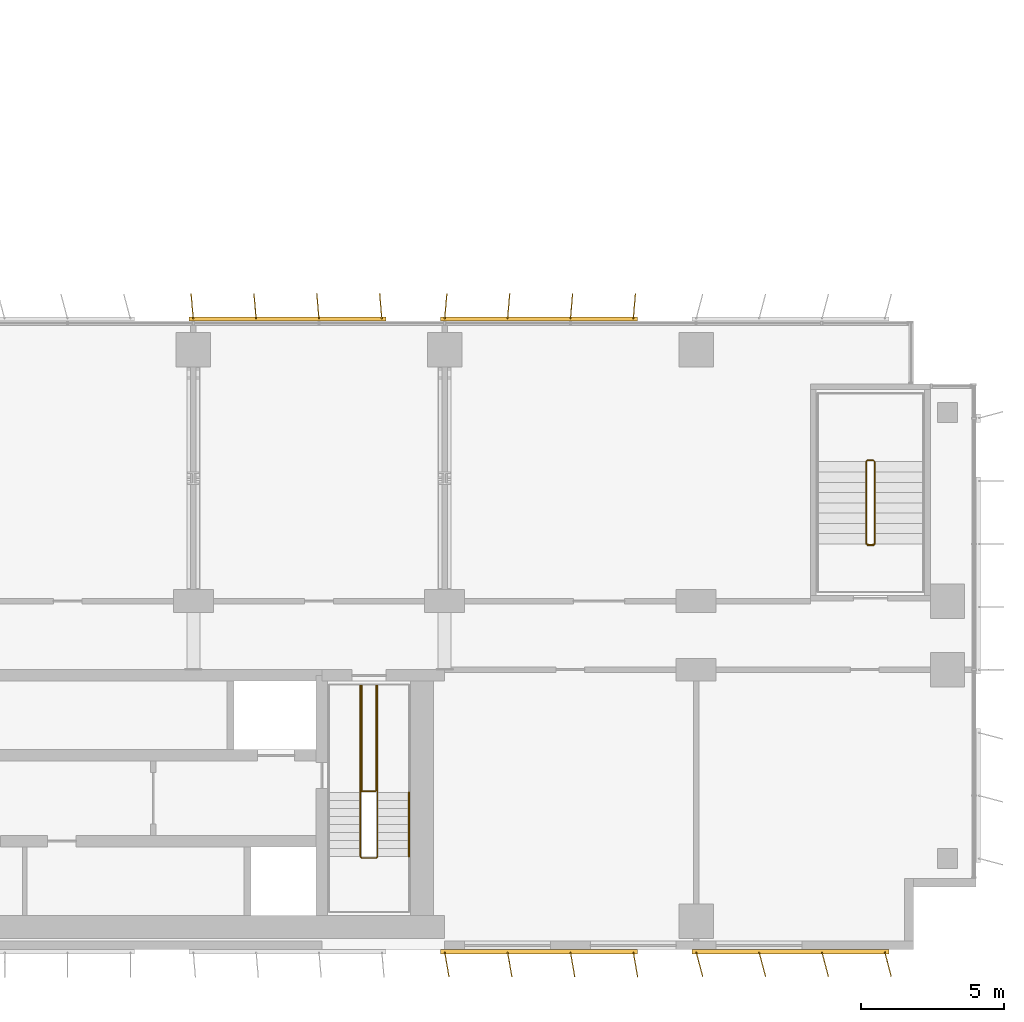
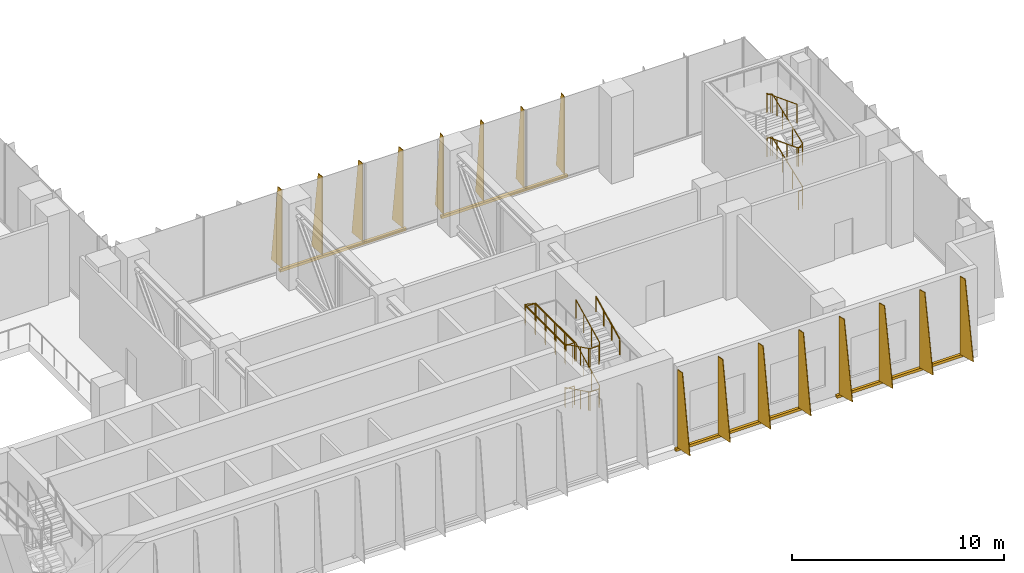
# One storey, part 18 of 21: 4 shading devices, 3 railings.
"""IFC4 building model written with IfcOpenShell, lengths in metres."""

from ifc_helpers import new_model, si_unit, direction, frame, origin, origin_2d, place, context, subcontext, project, spatial, polyline, rectangle, circle, outline, extrude, source, transform, mapped, material, layer, layer_set, type_object, element, save


model = new_model("IFC4")

# Units and contexts
model_context = context("Model", 3, precision=1e-05, world=origin(), true_north=direction((0.0, 1.0)))
body_context = subcontext(model_context, "Body", "Model", "MODEL_VIEW")
ifc_project = project(units=[si_unit("LENGTHUNIT", "METRE"), si_unit("AREAUNIT", "SQUARE_METRE"), si_unit("VOLUMEUNIT", "CUBIC_METRE"), si_unit("PLANEANGLEUNIT", "RADIAN"), si_unit("MASSUNIT", "GRAM", prefix="KILO")], contexts=[model_context])

# Site, building, storey
site_placement = place(None, origin())
site = spatial("IfcSite", under=ifc_project, at=site_placement, CompositionType="ELEMENT")
building_placement = place(site_placement, origin())
building = spatial("IfcBuilding", under=site, at=building_placement, Name="Kemantara Hotel Tower", CompositionType="ELEMENT")
storey_placement = place(building_placement, frame((0.0, 0.0, 133.300048828125)))
storey = spatial("IfcBuildingStorey", under=building, at=storey_placement, Name="L32", CompositionType="ELEMENT", Elevation=133.300048828125)

# Railings
ifc_material_1 = material(Name="Stainless steel balustrade", Category="steel")
railing_type_1 = type_object("IfcRailingType", Name="Stair guard 1100 mm", PredefinedType="GUARDRAIL", material=ifc_material_1)
railing_1_placement = place(storey_placement, frame((42.64990234375, 5.5, 5.0)))
element("IfcRailing", 1, at=railing_1_placement, inside=storey, type_object=railing_type_1, Name="L32 ST2 stair guard 1", PredefinedType="GUARDRAIL", context=body_context, shape_type="SweptSolid", body=[
    extrude(circle(Radius=0.02392578125, at=origin_2d()), frame((0.0, 0.0, 1.076171875), z_axis=(0.0, -0.895848192791, -0.444360231651), x_axis=(1.0, 0.0, 0.0)), (0.0, 0.0, 1.0), 2.50048828125),
    extrude(circle(Radius=0.02392578125, at=origin_2d()), frame((0.0, -2.239990234375, -0.03515625), z_axis=(-0.319608697381, -0.321175406682, -0.891457592206), x_axis=(0.708833529934, -0.705375805398, 0.0)), (0.0, 0.0, 1.0), 0.15576171875),
    extrude(circle(Radius=0.02392578125, at=origin_2d()), frame((-0.0498046875, -2.2900390625, -0.173828125), z_axis=(-1.0, 0.0, 0.0), x_axis=(0.0, -1.0, 0.0)), (0.0, 0.0, 1.0), 0.5),
    extrude(circle(Radius=0.02392578125, at=origin_2d()), frame((-0.5498046875, -2.2900390625, -0.173828125), z_axis=(-0.707106781187, 0.707106781187, 0.0), x_axis=(-0.707106781187, -0.707106781187, 0.0)), (0.0, 0.0, 1.0), 0.07080078125),
    extrude(circle(Radius=0.02392578125, at=origin_2d()), frame((-0.599853515625, -2.239990234375, -0.173828125), z_axis=(0.0, 0.895848192791, -0.444360231651), x_axis=(-1.0, 0.0, 0.0)), (0.0, 0.0, 1.0), 2.50048828125),
    extrude(circle(Radius=0.02392578125, at=origin_2d()), frame((-0.599853515625, 0.0, -1.28515625), z_axis=(0.0, 1.0, 0.0), x_axis=(-1.0, 0.0, 0.0)), (0.0, 0.0, 1.0), 3.780029296875),
    extrude(circle(Radius=0.02392578125, at=origin_2d()), frame((-0.599853515625, 3.780029296875, -1.28515625), z_axis=(0.969557479204, 0.0, -0.244863828525), x_axis=(0.0, 1.0, 0.0)), (0.0, 0.0, 1.0), 0.5673828125),
    extrude(circle(Radius=0.02392578125, at=origin_2d()), frame((-0.0498046875, 3.780029296875, -1.423828125), z_axis=(0.0, -1.0, 0.0), x_axis=(1.0, 0.0, 0.0)), (0.0, 0.0, 1.0), 3.72998046875),
    extrude(circle(Radius=0.02392578125, at=origin_2d()), frame((-0.0498046875, 0.050048828125, -1.423828125), z_axis=(-1.0, 0.0, 0.0), x_axis=(0.0, -1.0, 0.0)), (0.0, 0.0, 1.0), 0.5),
    extrude(circle(Radius=0.02392578125, at=origin_2d()), frame((-0.5498046875, 0.050048828125, -1.423828125), z_axis=(0.0, 1.0, 0.0), x_axis=(-1.0, 0.0, 0.0)), (0.0, 0.0, 1.0), 3.72998046875),
    extrude(circle(Radius=0.02392578125, at=origin_2d()), frame((-0.5498046875, 3.780029296875, -1.423828125), z_axis=(1.0, 0.0, 0.0), x_axis=(0.0, 1.0, 0.0)), (0.0, 0.0, 1.0), 0.5498046875),
    extrude(circle(Radius=0.02392578125, at=origin_2d()), frame((0.0, 3.780029296875, -1.423828125), z_axis=(0.0, -1.0, 0.0), x_axis=(1.0, 0.0, 0.0)), (0.0, 0.0, 1.0), 3.780029296875),
    extrude(circle(Radius=0.02392578125, at=origin_2d()), frame((0.0, 0.0, -1.423828125), z_axis=(0.0, -0.895848192791, -0.444360231651), x_axis=(1.0, 0.0, 0.0)), (0.0, 0.0, 1.0), 2.50048828125),
    extrude(circle(Radius=0.02392578125, at=origin_2d()), frame((0.0, -2.239990234375, -2.53515625), z_axis=(-0.319608697381, -0.321175406682, -0.891457592206), x_axis=(0.708833529934, -0.705375805398, 0.0)), (0.0, 0.0, 1.0), 0.15576171875),
    extrude(circle(Radius=0.02392578125, at=origin_2d()), frame((-0.0498046875, -2.2900390625, -2.673828125), z_axis=(-1.0, 0.0, 0.0), x_axis=(0.0, -1.0, 0.0)), (0.0, 0.0, 1.0), 0.5),
    extrude(circle(Radius=0.02392578125, at=origin_2d()), frame((-0.5498046875, -2.2900390625, -2.673828125), z_axis=(-0.707106781187, 0.707106781187, 0.0), x_axis=(-0.707106781187, -0.707106781187, 0.0)), (0.0, 0.0, 1.0), 0.07080078125),
    extrude(circle(Radius=0.02392578125, at=origin_2d()), frame((-0.599853515625, -2.239990234375, -2.673828125), z_axis=(0.0, 0.895848192791, -0.444360231651), x_axis=(-1.0, 0.0, 0.0)), (0.0, 0.0, 1.0), 2.50048828125),
    extrude(circle(Radius=0.02392578125, at=origin_2d()), frame((-0.599853515625, 0.0, -3.78515625), z_axis=(0.321014310373, 0.321014310373, -0.891010451718), x_axis=(-0.707106781187, 0.707106781187, 0.0)), (0.0, 0.0, 1.0), 0.156005859375),
    extrude(circle(Radius=0.02392578125, at=origin_2d()), frame((-0.5498046875, 0.050048828125, -3.923828125), z_axis=(1.0, 0.0, 0.0), x_axis=(0.0, 1.0, 0.0)), (0.0, 0.0, 1.0), 0.5),
    extrude(circle(Radius=0.02099609375, at=origin_2d()), origin(), (0.0, 0.0, 1.0), 1.052001953125),
    extrude(circle(Radius=0.02099609375, at=origin_2d()), frame((0.0, -0.74658203125, -0.370361328125)), (0.0, 0.0, 1.0), 1.052001953125),
    extrude(circle(Radius=0.02099609375, at=origin_2d()), frame((0.0, -1.493408203125, -0.74072265625)), (0.0, 0.0, 1.0), 1.052001953125),
    extrude(circle(Radius=0.02099609375, at=origin_2d()), frame((0.0, -2.239990234375, -1.111083984375)), (0.0, 0.0, 1.0), 1.052001953125),
    extrude(circle(Radius=0.02099609375, at=origin_2d()), frame((-0.0498046875, -2.2900390625, -1.25)), (0.0, 0.0, 1.0), 1.052001953125),
    extrude(circle(Radius=0.02099609375, at=origin_2d()), frame((-0.5498046875, -2.2900390625, -1.25)), (0.0, 0.0, 1.0), 1.052001953125),
    extrude(circle(Radius=0.02099609375, at=origin_2d()), frame((-0.599853515625, -2.239990234375, -1.25)), (0.0, 0.0, 1.0), 1.052001953125),
    extrude(circle(Radius=0.02099609375, at=origin_2d()), frame((-0.599853515625, -1.493408203125, -1.620361328125)), (0.0, 0.0, 1.0), 1.052001953125),
    extrude(circle(Radius=0.02099609375, at=origin_2d()), frame((-0.599853515625, -0.74658203125, -1.99072265625)), (0.0, 0.0, 1.0), 1.052001953125),
    extrude(circle(Radius=0.02099609375, at=origin_2d()), frame((-0.599853515625, 0.0, -2.361083984375)), (0.0, 0.0, 1.0), 1.052001953125),
    extrude(circle(Radius=0.02099609375, at=origin_2d()), frame((-0.599853515625, 0.945068359375, -2.361083984375)), (0.0, 0.0, 1.0), 1.052001953125),
    extrude(circle(Radius=0.02099609375, at=origin_2d()), frame((-0.599853515625, 1.89013671875, -2.361083984375)), (0.0, 0.0, 1.0), 1.052001953125),
    extrude(circle(Radius=0.02099609375, at=origin_2d()), frame((-0.599853515625, 2.8349609375, -2.361083984375)), (0.0, 0.0, 1.0), 1.052001953125),
    extrude(circle(Radius=0.02099609375, at=origin_2d()), frame((-0.599853515625, 3.780029296875, -2.361083984375)), (0.0, 0.0, 1.0), 1.052001953125),
    extrude(circle(Radius=0.02099609375, at=origin_2d()), frame((-0.0498046875, 3.780029296875, -2.5)), (0.0, 0.0, 1.0), 1.052001953125),
    extrude(circle(Radius=0.02099609375, at=origin_2d()), frame((-0.0498046875, 2.84765625, -2.5)), (0.0, 0.0, 1.0), 1.052001953125),
    extrude(circle(Radius=0.02099609375, at=origin_2d()), frame((-0.0498046875, 1.9150390625, -2.5)), (0.0, 0.0, 1.0), 1.052001953125),
    extrude(circle(Radius=0.02099609375, at=origin_2d()), frame((-0.0498046875, 0.982421875, -2.5)), (0.0, 0.0, 1.0), 1.052001953125),
    extrude(circle(Radius=0.02099609375, at=origin_2d()), frame((-0.0498046875, 0.050048828125, -2.5)), (0.0, 0.0, 1.0), 1.052001953125),
    extrude(circle(Radius=0.02099609375, at=origin_2d()), frame((-0.5498046875, 0.050048828125, -2.5)), (0.0, 0.0, 1.0), 1.052001953125),
    extrude(circle(Radius=0.02099609375, at=origin_2d()), frame((-0.5498046875, 0.982421875, -2.5)), (0.0, 0.0, 1.0), 1.052001953125),
    extrude(circle(Radius=0.02099609375, at=origin_2d()), frame((-0.5498046875, 1.9150390625, -2.5)), (0.0, 0.0, 1.0), 1.052001953125),
    extrude(circle(Radius=0.02099609375, at=origin_2d()), frame((-0.5498046875, 2.84765625, -2.5)), (0.0, 0.0, 1.0), 1.052001953125),
    extrude(circle(Radius=0.02099609375, at=origin_2d()), frame((-0.5498046875, 3.780029296875, -2.5)), (0.0, 0.0, 1.0), 1.052001953125),
    extrude(circle(Radius=0.02099609375, at=origin_2d()), frame((0.0, 3.780029296875, -2.5)), (0.0, 0.0, 1.0), 1.052001953125),
    extrude(circle(Radius=0.02099609375, at=origin_2d()), frame((0.0, 2.8349609375, -2.5)), (0.0, 0.0, 1.0), 1.052001953125),
    extrude(circle(Radius=0.02099609375, at=origin_2d()), frame((0.0, 1.89013671875, -2.5)), (0.0, 0.0, 1.0), 1.052001953125),
    extrude(circle(Radius=0.02099609375, at=origin_2d()), frame((0.0, 0.945068359375, -2.5)), (0.0, 0.0, 1.0), 1.052001953125),
    extrude(circle(Radius=0.02099609375, at=origin_2d()), frame((0.0, 0.0, -2.5)), (0.0, 0.0, 1.0), 1.052001953125),
    extrude(circle(Radius=0.02099609375, at=origin_2d()), frame((0.0, -0.74658203125, -2.870361328125)), (0.0, 0.0, 1.0), 1.052001953125),
    extrude(circle(Radius=0.02099609375, at=origin_2d()), frame((0.0, -1.493408203125, -3.24072265625)), (0.0, 0.0, 1.0), 1.052001953125),
    extrude(circle(Radius=0.02099609375, at=origin_2d()), frame((0.0, -2.239990234375, -3.611083984375)), (0.0, 0.0, 1.0), 1.052001953125),
    extrude(circle(Radius=0.02099609375, at=origin_2d()), frame((-0.0498046875, -2.2900390625, -3.75)), (0.0, 0.0, 1.0), 1.052001953125),
    extrude(circle(Radius=0.02099609375, at=origin_2d()), frame((-0.5498046875, -2.2900390625, -3.75)), (0.0, 0.0, 1.0), 1.052001953125),
    extrude(circle(Radius=0.02099609375, at=origin_2d()), frame((-0.599853515625, -2.239990234375, -3.75)), (0.0, 0.0, 1.0), 1.052001953125),
    extrude(circle(Radius=0.02099609375, at=origin_2d()), frame((-0.599853515625, -1.493408203125, -4.120361328125)), (0.0, 0.0, 1.0), 1.052001953125),
    extrude(circle(Radius=0.02099609375, at=origin_2d()), frame((-0.599853515625, -0.74658203125, -4.49072265625)), (0.0, 0.0, 1.0), 1.052001953125),
    extrude(circle(Radius=0.02099609375, at=origin_2d()), frame((-0.599853515625, 0.0, -4.861083984375)), (0.0, 0.0, 1.0), 1.052001953125),
    extrude(circle(Radius=0.02099609375, at=origin_2d()), frame((-0.5498046875, 0.050048828125, -5.0)), (0.0, 0.0, 1.0), 1.052001953125),
    extrude(circle(Radius=0.02099609375, at=origin_2d()), frame((-0.0498046875, 0.050048828125, -5.0)), (0.0, 0.0, 1.0), 1.052001953125),
])
railing_2_placement = place(storey_placement, frame((59.75, 14.199951171875, 5.0)))
element("IfcRailing", 2, at=railing_2_placement, inside=storey, type_object=railing_type_1, Name="L32 ST3 stair guard 1", PredefinedType="GUARDRAIL", context=body_context, shape_type="SweptSolid", body=[
    extrude(circle(Radius=0.02392578125, at=origin_2d()), frame((0.0, 0.0, 1.076171875), z_axis=(0.0, 0.932982310422, -0.359922225543), x_axis=(-1.0, 0.0, 0.0)), (0.0, 0.0, 1.0), 3.0869140625),
    extrude(circle(Radius=0.02392578125, at=origin_2d()), frame((0.0, 2.880126953125, -0.03515625), z_axis=(0.321175406682, 0.319608697381, -0.891457592206), x_axis=(-0.705375805398, 0.708833529934, 0.0)), (0.0, 0.0, 1.0), 0.15576171875),
    extrude(circle(Radius=0.02392578125, at=origin_2d()), frame((0.050048828125, 2.929931640625, -0.173828125), z_axis=(1.0, 0.0, 0.0), x_axis=(0.0, 1.0, 0.0)), (0.0, 0.0, 1.0), 0.199951171875),
    extrude(circle(Radius=0.02392578125, at=origin_2d()), frame((0.25, 2.929931640625, -0.173828125), z_axis=(0.708833529934, -0.705375805398, 0.0), x_axis=(0.705375805398, 0.708833529934, 0.0)), (0.0, 0.0, 1.0), 0.070556640625),
    extrude(circle(Radius=0.02392578125, at=origin_2d()), frame((0.300048828125, 2.880126953125, -0.173828125), z_axis=(0.0, -0.932982310422, -0.359922225543), x_axis=(1.0, 0.0, 0.0)), (0.0, 0.0, 1.0), 3.0869140625),
    extrude(circle(Radius=0.02392578125, at=origin_2d()), frame((0.300048828125, 0.0, -1.28515625), z_axis=(-0.861032742868, -0.172374719031, -0.478444951847), x_axis=(0.196300278283, -0.98054382908, 0.0)), (0.0, 0.0, 1.0), 0.290283203125),
    extrude(circle(Radius=0.02392578125, at=origin_2d()), frame((0.050048828125, -0.050048828125, -1.423828125), z_axis=(1.0, 0.0, 0.0), x_axis=(0.0, 1.0, 0.0)), (0.0, 0.0, 1.0), 0.199951171875),
    extrude(circle(Radius=0.02392578125, at=origin_2d()), frame((0.25, -0.050048828125, -1.423828125), z_axis=(-0.98054382908, 0.196300278283, 0.0), x_axis=(-0.196300278283, -0.98054382908, 0.0)), (0.0, 0.0, 1.0), 0.2548828125),
    extrude(circle(Radius=0.02392578125, at=origin_2d()), frame((0.0, 0.0, -1.423828125), z_axis=(0.0, 0.932982310422, -0.359922225543), x_axis=(-1.0, 0.0, 0.0)), (0.0, 0.0, 1.0), 3.0869140625),
    extrude(circle(Radius=0.02392578125, at=origin_2d()), frame((0.0, 2.880126953125, -2.53515625), z_axis=(0.321175406682, 0.319608697381, -0.891457592206), x_axis=(-0.705375805398, 0.708833529934, 0.0)), (0.0, 0.0, 1.0), 0.15576171875),
    extrude(circle(Radius=0.02392578125, at=origin_2d()), frame((0.050048828125, 2.929931640625, -2.673828125), z_axis=(1.0, 0.0, 0.0), x_axis=(0.0, 1.0, 0.0)), (0.0, 0.0, 1.0), 0.199951171875),
    extrude(circle(Radius=0.02392578125, at=origin_2d()), frame((0.25, 2.929931640625, -2.673828125), z_axis=(0.708833529934, -0.705375805398, 0.0), x_axis=(0.705375805398, 0.708833529934, 0.0)), (0.0, 0.0, 1.0), 0.070556640625),
    extrude(circle(Radius=0.02392578125, at=origin_2d()), frame((0.300048828125, 2.880126953125, -2.673828125), z_axis=(0.0, -0.932982310422, -0.359922225543), x_axis=(1.0, 0.0, 0.0)), (0.0, 0.0, 1.0), 3.0869140625),
    extrude(circle(Radius=0.02392578125, at=origin_2d()), frame((0.300048828125, 0.0, -3.78515625), z_axis=(-0.321014310373, -0.321014310373, -0.891010451718), x_axis=(0.707106781187, -0.707106781187, 0.0)), (0.0, 0.0, 1.0), 0.156005859375),
    extrude(circle(Radius=0.02392578125, at=origin_2d()), frame((0.25, -0.050048828125, -3.923828125), z_axis=(-1.0, 0.0, 0.0), x_axis=(0.0, -1.0, 0.0)), (0.0, 0.0, 1.0), 0.199951171875),
    extrude(circle(Radius=0.02099609375, at=origin_2d()), origin(), (0.0, 0.0, 1.0), 1.052001953125),
    extrude(circle(Radius=0.02099609375, at=origin_2d()), frame((0.0, 0.9599609375, -0.370361328125)), (0.0, 0.0, 1.0), 1.052001953125),
    extrude(circle(Radius=0.02099609375, at=origin_2d()), frame((0.0, 1.920166015625, -0.74072265625)), (0.0, 0.0, 1.0), 1.052001953125),
    extrude(circle(Radius=0.02099609375, at=origin_2d()), frame((0.0, 2.880126953125, -1.111083984375)), (0.0, 0.0, 1.0), 1.052001953125),
    extrude(circle(Radius=0.02099609375, at=origin_2d()), frame((0.050048828125, 2.929931640625, -1.25)), (0.0, 0.0, 1.0), 1.052001953125),
    extrude(circle(Radius=0.02099609375, at=origin_2d()), frame((0.25, 2.929931640625, -1.25)), (0.0, 0.0, 1.0), 1.052001953125),
    extrude(circle(Radius=0.02099609375, at=origin_2d()), frame((0.300048828125, 2.880126953125, -1.25)), (0.0, 0.0, 1.0), 1.052001953125),
    extrude(circle(Radius=0.02099609375, at=origin_2d()), frame((0.300048828125, 1.920166015625, -1.620361328125)), (0.0, 0.0, 1.0), 1.052001953125),
    extrude(circle(Radius=0.02099609375, at=origin_2d()), frame((0.300048828125, 0.9599609375, -1.99072265625)), (0.0, 0.0, 1.0), 1.052001953125),
    extrude(circle(Radius=0.02099609375, at=origin_2d()), frame((0.300048828125, 0.0, -2.361083984375)), (0.0, 0.0, 1.0), 1.052001953125),
    extrude(circle(Radius=0.02099609375, at=origin_2d()), frame((0.050048828125, -0.050048828125, -2.5)), (0.0, 0.0, 1.0), 1.052001953125),
    extrude(circle(Radius=0.02099609375, at=origin_2d()), frame((0.25, -0.050048828125, -2.5)), (0.0, 0.0, 1.0), 1.052001953125),
    extrude(circle(Radius=0.02099609375, at=origin_2d()), frame((0.0, 0.0, -2.5)), (0.0, 0.0, 1.0), 1.052001953125),
    extrude(circle(Radius=0.02099609375, at=origin_2d()), frame((0.0, 0.9599609375, -2.870361328125)), (0.0, 0.0, 1.0), 1.052001953125),
    extrude(circle(Radius=0.02099609375, at=origin_2d()), frame((0.0, 1.920166015625, -3.24072265625)), (0.0, 0.0, 1.0), 1.052001953125),
    extrude(circle(Radius=0.02099609375, at=origin_2d()), frame((0.0, 2.880126953125, -3.611083984375)), (0.0, 0.0, 1.0), 1.052001953125),
    extrude(circle(Radius=0.02099609375, at=origin_2d()), frame((0.050048828125, 2.929931640625, -3.75)), (0.0, 0.0, 1.0), 1.052001953125),
    extrude(circle(Radius=0.02099609375, at=origin_2d()), frame((0.25, 2.929931640625, -3.75)), (0.0, 0.0, 1.0), 1.052001953125),
    extrude(circle(Radius=0.02099609375, at=origin_2d()), frame((0.300048828125, 2.880126953125, -3.75)), (0.0, 0.0, 1.0), 1.052001953125),
    extrude(circle(Radius=0.02099609375, at=origin_2d()), frame((0.300048828125, 1.920166015625, -4.120361328125)), (0.0, 0.0, 1.0), 1.052001953125),
    extrude(circle(Radius=0.02099609375, at=origin_2d()), frame((0.300048828125, 0.9599609375, -4.49072265625)), (0.0, 0.0, 1.0), 1.052001953125),
    extrude(circle(Radius=0.02099609375, at=origin_2d()), frame((0.300048828125, 0.0, -4.861083984375)), (0.0, 0.0, 1.0), 1.052001953125),
    extrude(circle(Radius=0.02099609375, at=origin_2d()), frame((0.25, -0.050048828125, -5.0)), (0.0, 0.0, 1.0), 1.052001953125),
    extrude(circle(Radius=0.02099609375, at=origin_2d()), frame((0.050048828125, -0.050048828125, -5.0)), (0.0, 0.0, 1.0), 1.052001953125),
])
railing_type_2 = type_object("IfcRailingType", Name="Stair handrail 900 mm", PredefinedType="HANDRAIL", material=ifc_material_1)
railing_3_placement = place(storey_placement, frame((43.75, 3.260009765625, 3.888916015625)))
element("IfcRailing", 3, at=railing_3_placement, inside=storey, type_object=railing_type_2, Name="L32 ST2 stair handrail 3", PredefinedType="HANDRAIL", context=body_context, shape_type="SweptSolid", body=[
    extrude(circle(Radius=0.02392578125, at=origin_2d()), frame((0.0, 0.0, 0.8759765625), z_axis=(0.0, 0.895848192791, 0.444360231651), x_axis=(-1.0, 0.0, 0.0)), (0.0, 0.0, 1.0), 2.50048828125),
    extrude(circle(Radius=0.02099609375, at=origin_2d()), origin(), (0.0, 0.0, 1.0), 0.851806640625),
    extrude(circle(Radius=0.02099609375, at=origin_2d()), frame((0.0, 0.74658203125, 0.370361328125)), (0.0, 0.0, 1.0), 0.851806640625),
    extrude(circle(Radius=0.02099609375, at=origin_2d()), frame((0.0, 1.493408203125, 0.74072265625)), (0.0, 0.0, 1.0), 0.851806640625),
    extrude(circle(Radius=0.02099609375, at=origin_2d()), frame((0.0, 2.239990234375, 1.111083984375)), (0.0, 0.0, 1.0), 0.851806640625),
])

# Shading devices
ifc_material_2 = material(Name="Perforated aluminium plate 4 mm bronze anodised", Category="aluminium")
ifc_layer_1 = layer(ifc_material_2, 0.0400390625)
ifc_layer_set_1 = layer_set([ifc_layer_1], Name="Perforated aluminium plate 4 mm bronze anodised")
shading_device_type_1 = type_object("IfcShadingDeviceType", Name="SCREEN FIN CASSETTE, 4 BLADES AT -5.0 DEG, 4500 HIGH", PredefinedType="USERDEFINED", material=ifc_layer_set_1)
shared_shape_1 = source(origin(), body_context, "Body", "SweptSolid", [
    extrude(rectangle(XDim=6.89990234375, YDim=0.14990234375, at=origin_2d()), frame((3.300048828125, -0.074951171875, -0.14990234375), z_axis=(0.0, 0.0, 1.0), x_axis=(1.0, 0.0, 0.0)), (0.0, 0.0, 1.0), 0.14990234375),
    extrude(outline(polyline([(0.0, 0.0), (0.89990234375, 0.0), (0.35009765625, 4.5), (0.0, 4.5), (0.0, 0.0)])), frame((0.02001953125, -0.07666015625, 0.0), z_axis=(-0.996376129781, 0.085056498884, 0.0), x_axis=(-0.085056498884, -0.996376129781, 0.0)), (0.0, 0.0, 1.0), 0.040283203125),
    extrude(outline(polyline([(0.0, 0.0), (0.89990234375, 0.0), (0.35009765625, 4.5), (0.0, 4.5), (0.0, 0.0)])), frame((2.219970703125, -0.07666015625, 0.0), z_axis=(-0.996331773833, 0.085574508182, 0.0), x_axis=(-0.085574508182, -0.996331773833, 0.0)), (0.0, 0.0, 1.0), 0.0400390625),
    extrude(outline(polyline([(0.0, 0.0), (0.89990234375, 0.0), (0.35009765625, 4.5), (0.0, 4.5), (0.0, 0.0)])), frame((4.419921875, -0.07666015625, 0.0), z_axis=(-0.996331773833, 0.085574508182, 0.0), x_axis=(-0.085574508182, -0.996331773833, 0.0)), (0.0, 0.0, 1.0), 0.0400390625),
    extrude(outline(polyline([(0.0, 0.0), (0.89990234375, 0.0), (0.35009765625, 4.5), (0.0, 4.5), (0.0, 0.0)])), frame((6.619873046875, -0.07666015625, 0.0), z_axis=(-0.996331773833, 0.085574508182, 0.0), x_axis=(-0.085574508182, -0.996331773833, 0.0)), (0.0, 0.0, 1.0), 0.0400390625),
])
shading_device_1_placement = place(storey_placement, frame((51.60009765625, 22.0, 0.099853515625), z_axis=(0.0, 0.0, 1.0), x_axis=(-1.0, 0.0, 0.0)))
element("IfcShadingDevice", 4, at=shading_device_1_placement, inside=storey, type_object=shading_device_type_1, Name="SCREEN FIN CASSETTE L32 T2-R13-2", ObjectType="SCREEN FIN", PredefinedType="USERDEFINED", context=body_context, shape_type="MappedRepresentation", body=[
    mapped(shared_shape_1, transform((0.0, 0.0, 0.0))),
])
ifc_layer_2 = layer(ifc_material_2, 0.0400390625)
ifc_layer_set_2 = layer_set([ifc_layer_2], Name="Perforated aluminium plate 4 mm bronze anodised")
shading_device_type_2 = type_object("IfcShadingDeviceType", Name="SCREEN FIN CASSETTE, 4 BLADES AT +5.0 DEG, 4500 HIGH", PredefinedType="USERDEFINED", material=ifc_layer_set_2)
shared_shape_2 = source(origin(), body_context, "Body", "SweptSolid", [
    extrude(rectangle(XDim=6.89990234375, YDim=0.14990234375, at=origin_2d()), frame((3.300048828125, -0.074951171875, -0.14990234375), z_axis=(0.0, 0.0, 1.0), x_axis=(1.0, 0.0, 0.0)), (0.0, 0.0, 1.0), 0.14990234375),
    extrude(outline(polyline([(0.0, 0.0), (0.89990234375, 0.0), (0.35009765625, 4.5), (0.0, 4.5), (0.0, 0.0)])), frame((0.02001953125, -0.0732421875, 0.0), z_axis=(-0.996376129781, -0.085056498884, 0.0), x_axis=(0.085056498884, -0.996376129781, 0.0)), (0.0, 0.0, 1.0), 0.040283203125),
    extrude(outline(polyline([(0.0, 0.0), (0.89990234375, 0.0), (0.35009765625, 4.5), (0.0, 4.5), (0.0, 0.0)])), frame((2.219970703125, -0.0732421875, 0.0), z_axis=(-0.996331773833, -0.085574508182, 0.0), x_axis=(0.085574508182, -0.996331773833, 0.0)), (0.0, 0.0, 1.0), 0.0400390625),
    extrude(outline(polyline([(0.0, 0.0), (0.89990234375, 0.0), (0.35009765625, 4.5), (0.0, 4.5), (0.0, 0.0)])), frame((4.419921875, -0.0732421875, 0.0), z_axis=(-0.996331773833, -0.085574508182, 0.0), x_axis=(0.085574508182, -0.996331773833, 0.0)), (0.0, 0.0, 1.0), 0.0400390625),
    extrude(outline(polyline([(0.0, 0.0), (0.89990234375, 0.0), (0.35009765625, 4.5), (0.0, 4.5), (0.0, 0.0)])), frame((6.619873046875, -0.0732421875, 0.0), z_axis=(-0.996331773833, -0.085574508182, 0.0), x_axis=(0.085574508182, -0.996331773833, 0.0)), (0.0, 0.0, 1.0), 0.0400390625),
])
shading_device_2_placement = place(storey_placement, frame((42.800048828125, 22.0, 0.099853515625), z_axis=(0.0, 0.0, 1.0), x_axis=(-1.0, 0.0, 0.0)))
element("IfcShadingDevice", 5, at=shading_device_2_placement, inside=storey, type_object=shading_device_type_2, Name="SCREEN FIN CASSETTE L32 T2-R13-3", ObjectType="SCREEN FIN", PredefinedType="USERDEFINED", context=body_context, shape_type="MappedRepresentation", body=[
    mapped(shared_shape_2, transform((0.0, 0.0, 0.0))),
])
ifc_layer_3 = layer(ifc_material_2, 0.0400390625)
ifc_layer_set_3 = layer_set([ifc_layer_3], Name="Perforated aluminium plate 4 mm bronze anodised")
shading_device_type_3 = type_object("IfcShadingDeviceType", Name="SCREEN FIN CASSETTE, 4 BLADES AT +10.0 DEG, 4500 HIGH", PredefinedType="USERDEFINED", material=ifc_layer_set_3)
shared_shape_3 = source(origin(), body_context, "Body", "SweptSolid", [
    extrude(rectangle(XDim=6.89990234375, YDim=0.14990234375, at=origin_2d()), frame((3.300048828125, -0.074951171875, -0.14990234375), z_axis=(0.0, 0.0, 1.0), x_axis=(1.0, 0.0, 0.0)), (0.0, 0.0, 1.0), 0.14990234375),
    extrude(outline(polyline([(0.0, 0.0), (0.89990234375, 0.0), (0.35009765625, 4.5), (0.0, 4.5), (0.0, 0.0)])), frame((0.019775390625, -0.071533203125, 0.0), z_axis=(-0.985389793052, -0.170314285219, 0.0), x_axis=(0.170314285219, -0.985389793052, 0.0)), (0.0, 0.0, 1.0), 0.0400390625),
    extrude(outline(polyline([(0.0, 0.0), (0.89990234375, 0.0), (0.35009765625, 4.5), (0.0, 4.5), (0.0, 0.0)])), frame((2.2197265625, -0.071533203125, 0.0), z_axis=(-0.98521175482, -0.171341174751, 0.0), x_axis=(0.171341174751, -0.98521175482, 0.0)), (0.0, 0.0, 1.0), 0.039794921875),
    extrude(outline(polyline([(0.0, 0.0), (0.89990234375, 0.0), (0.35009765625, 4.5), (0.0, 4.5), (0.0, 0.0)])), frame((4.419677734375, -0.071533203125, 0.0), z_axis=(-0.98521175482, -0.171341174751, 0.0), x_axis=(0.171341174751, -0.98521175482, 0.0)), (0.0, 0.0, 1.0), 0.039794921875),
    extrude(outline(polyline([(0.0, 0.0), (0.89990234375, 0.0), (0.35009765625, 4.5), (0.0, 4.5), (0.0, 0.0)])), frame((6.61962890625, -0.071533203125, 0.0), z_axis=(-0.98521175482, -0.171341174751, 0.0), x_axis=(0.171341174751, -0.98521175482, 0.0)), (0.0, 0.0, 1.0), 0.039794921875),
])
shading_device_3_placement = place(storey_placement, frame((45.0, 0.0, 0.099853515625), z_axis=(0.0, 0.0, 1.0), x_axis=(1.0, 0.0, 0.0)))
element("IfcShadingDevice", 6, at=shading_device_3_placement, inside=storey, type_object=shading_device_type_3, Name="SCREEN FIN CASSETTE L32 T2-R07-6", ObjectType="SCREEN FIN", PredefinedType="USERDEFINED", context=body_context, shape_type="MappedRepresentation", body=[
    mapped(shared_shape_3, transform((0.0, 0.0, 0.0))),
])
ifc_layer_4 = layer(ifc_material_2, 0.0400390625)
ifc_layer_set_4 = layer_set([ifc_layer_4], Name="Perforated aluminium plate 4 mm bronze anodised")
shading_device_type_4 = type_object("IfcShadingDeviceType", Name="SCREEN FIN CASSETTE, 4 BLADES AT +15.0 DEG, 4500 HIGH", PredefinedType="USERDEFINED", material=ifc_layer_set_4)
shared_shape_4 = source(origin(), body_context, "Body", "SweptSolid", [
    extrude(rectangle(XDim=6.89990234375, YDim=0.14990234375, at=origin_2d()), frame((3.300048828125, -0.074951171875, -0.14990234375), z_axis=(0.0, 0.0, 1.0), x_axis=(1.0, 0.0, 0.0)), (0.0, 0.0, 1.0), 0.14990234375),
    extrude(outline(polyline([(0.0, 0.0), (0.89990234375, 0.0), (0.35009765625, 4.5), (0.0, 4.5), (0.0, 0.0)])), frame((0.019287109375, -0.06982421875, 0.0), z_axis=(-0.966437683387, -0.256901156343, 0.0), x_axis=(0.256901156343, -0.966437683387, 0.0)), (0.0, 0.0, 1.0), 0.039794921875),
    extrude(outline(polyline([(0.0, 0.0), (0.89990234375, 0.0), (0.35009765625, 4.5), (0.0, 4.5), (0.0, 0.0)])), frame((2.21923828125, -0.06982421875, 0.0), z_axis=(-0.966437683387, -0.256901156343, 0.0), x_axis=(0.256901156343, -0.966437683387, 0.0)), (0.0, 0.0, 1.0), 0.039794921875),
    extrude(outline(polyline([(0.0, 0.0), (0.89990234375, 0.0), (0.35009765625, 4.5), (0.0, 4.5), (0.0, 0.0)])), frame((4.41943359375, -0.06982421875, 0.0), z_axis=(-0.966837822169, -0.255391122837, 0.0), x_axis=(0.255391122837, -0.966837822169, 0.0)), (0.0, 0.0, 1.0), 0.0400390625),
    extrude(outline(polyline([(0.0, 0.0), (0.89990234375, 0.0), (0.35009765625, 4.5), (0.0, 4.5), (0.0, 0.0)])), frame((6.619384765625, -0.06982421875, 0.0), z_axis=(-0.966837822169, -0.255391122837, 0.0), x_axis=(0.255391122837, -0.966837822169, 0.0)), (0.0, 0.0, 1.0), 0.0400390625),
])
shading_device_4_placement = place(storey_placement, frame((53.800048828125, 0.0, 0.099853515625), z_axis=(0.0, 0.0, 1.0), x_axis=(1.0, 0.0, 0.0)))
element("IfcShadingDevice", 7, at=shading_device_4_placement, inside=storey, type_object=shading_device_type_4, Name="SCREEN FIN CASSETTE L32 T2-R07-7", ObjectType="SCREEN FIN", PredefinedType="USERDEFINED", context=body_context, shape_type="MappedRepresentation", body=[
    mapped(shared_shape_4, transform((0.0, 0.0, 0.0))),
])

save(model, "model.ifc")
